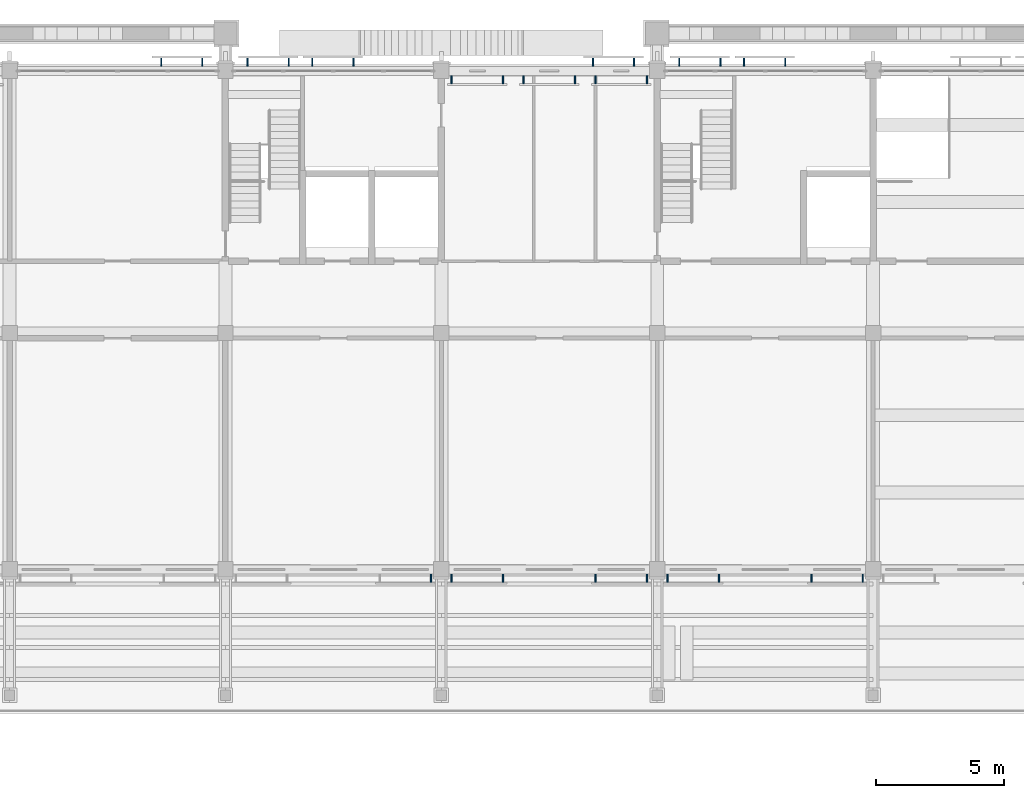
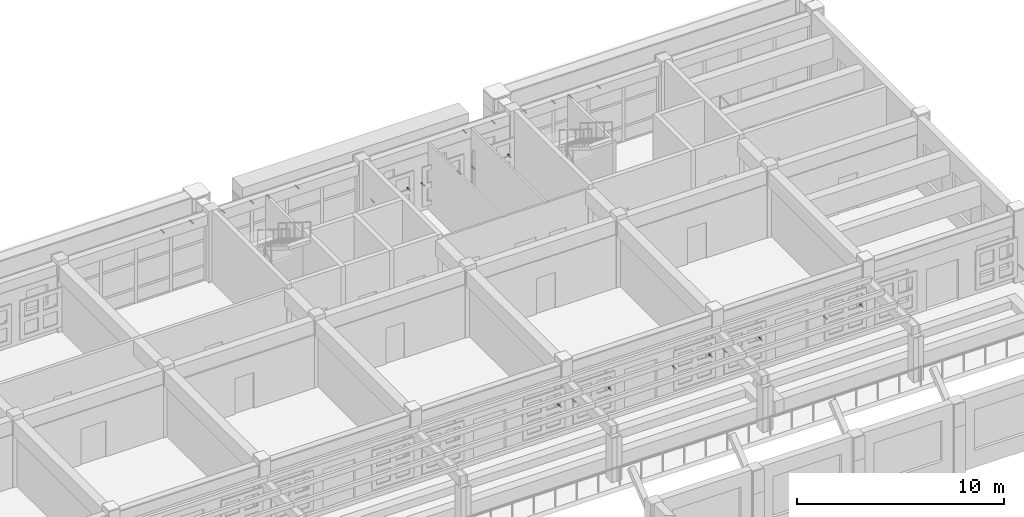
# One storey, part 48 of 68: 27 discrete accessories.
"""IFC4 building model written with IfcOpenShell, lengths in metres."""

from ifc_helpers import new_model, si_unit, direction, frame, origin, origin_2d, place, context, subcontext, project, spatial, rectangle, extrude, material, type_object, element, save


model = new_model("IFC4")

# Units and contexts
model_context = context("Model", 3, precision=1e-05, world=origin(), true_north=direction((0.0, 1.0)))
body_context = subcontext(model_context, "Body", "Model", "MODEL_VIEW")
ifc_project = project(units=[si_unit("LENGTHUNIT", "METRE"), si_unit("AREAUNIT", "SQUARE_METRE"), si_unit("VOLUMEUNIT", "CUBIC_METRE"), si_unit("PLANEANGLEUNIT", "RADIAN"), si_unit("MASSUNIT", "GRAM", prefix="KILO")], contexts=[model_context])

# Site, building, storey
site_placement = place(None, origin())
site = spatial("IfcSite", under=ifc_project, at=site_placement, CompositionType="ELEMENT")
building_placement = place(site_placement, origin())
building = spatial("IfcBuilding", under=site, at=building_placement, Name="Wasatch Bagh Community Centre", CompositionType="ELEMENT")
storey_placement = place(building_placement, frame((0.0, 0.0, 8.39990234375)))
storey = spatial("IfcBuildingStorey", under=building, at=storey_placement, Name="L02", CompositionType="ELEMENT", Elevation=8.39990234375)

# Discrete accessories
ifc_material = material(Name="Galvanised steel", Category="steel")
discrete_accessory_type = type_object("IfcDiscreteAccessoryType", Name="LW jali bracket", PredefinedType="BRACKET", material=ifc_material)
for number, where, z_axis, x_axis, name in (
    (1, (114.0, 78.06005859375, 1.63525390625), (0.0, 0.0, 1.0), (1.0, 0.0, 0.0), "Jali bracket"),
    (2, (114.800048828125, 78.06005859375, 1.63525390625), (0.0, 0.0, 1.0), (1.0, 0.0, 0.0), "Jali bracket"),
    (3, (116.800048828125, 78.06005859375, 1.63525390625), (0.0, 0.0, 1.0), (1.0, 0.0, 0.0), "Jali bracket"),
    (4, (120.39990234375, 78.06005859375, 1.63525390625), (0.0, 0.0, 1.0), (1.0, 0.0, 0.0), "Jali bracket"),
    (5, (122.39990234375, 78.06005859375, 1.63525390625), (0.0, 0.0, 1.0), (1.0, 0.0, 0.0), "Jali bracket"),
    (6, (123.199951171875, 78.06005859375, 1.63525390625), (0.0, 0.0, 1.0), (1.0, 0.0, 0.0), "Jali bracket"),
    (7, (125.199951171875, 78.06005859375, 1.63525390625), (0.0, 0.0, 1.0), (1.0, 0.0, 0.0), "Jali bracket"),
    (8, (128.800048828125, 78.06005859375, 1.63525390625), (0.0, 0.0, 1.0), (1.0, 0.0, 0.0), "Jali bracket"),
    (9, (130.800048828125, 78.06005859375, 1.63525390625), (0.0, 0.0, 1.0), (1.0, 0.0, 0.0), "Jali bracket"),
    (10, (114.800048828125, 97.4599609375, 1.63525390625), (0.0, 0.0, 1.0), (1.0, 0.0, 0.0), "Jali bracket"),
    (11, (116.800048828125, 97.4599609375, 1.63525390625), (0.0, 0.0, 1.0), (1.0, 0.0, 0.0), "Jali bracket"),
    (12, (117.60009765625, 97.4599609375, 1.63525390625), (0.0, 0.0, 1.0), (1.0, 0.0, 0.0), "Jali bracket"),
    (13, (119.60009765625, 97.4599609375, 1.63525390625), (0.0, 0.0, 1.0), (1.0, 0.0, 0.0), "Jali bracket"),
    (14, (120.39990234375, 97.4599609375, 1.63525390625), (0.0, 0.0, 1.0), (1.0, 0.0, 0.0), "Jali bracket"),
    (15, (122.39990234375, 97.4599609375, 1.63525390625), (0.0, 0.0, 1.0), (1.0, 0.0, 0.0), "Jali bracket"),
):
    element("IfcDiscreteAccessory", number, at=place(storey_placement, frame(where, z_axis=z_axis, x_axis=x_axis)), inside=storey, type_object=discrete_accessory_type, Name=name, PredefinedType="BRACKET", context=body_context, shape_type="SweptSolid", body=[
        extrude(rectangle(XDim=0.050048828125, YDim=0.320068359375, at=origin_2d()), origin(), (0.0, 0.0, 1.0), 0.050048828125),
    ])
for number, where, z_axis, x_axis, name in (
    (16, (103.5, 98.137451171875, 3.39501953125), (0.0, 0.0, 1.0), (1.0, 0.0, 0.0), "Jali bracket"),
    (17, (105.10009765625, 98.137451171875, 3.39501953125), (0.0, 0.0, 1.0), (1.0, 0.0, 0.0), "Jali bracket"),
    (18, (106.860107421875, 98.137451171875, 3.39501953125), (0.0, 0.0, 1.0), (1.0, 0.0, 0.0), "Jali bracket"),
    (19, (108.4599609375, 98.137451171875, 3.39501953125), (0.0, 0.0, 1.0), (1.0, 0.0, 0.0), "Jali bracket"),
    (20, (109.3798828125, 98.137451171875, 3.39501953125), (0.0, 0.0, 1.0), (1.0, 0.0, 0.0), "Jali bracket"),
    (21, (110.97998046875, 98.137451171875, 3.39501953125), (0.0, 0.0, 1.0), (1.0, 0.0, 0.0), "Jali bracket"),
    (22, (120.300048828125, 98.137451171875, 3.39501953125), (0.0, 0.0, 1.0), (1.0, 0.0, 0.0), "Jali bracket"),
    (23, (121.89990234375, 98.137451171875, 3.39501953125), (0.0, 0.0, 1.0), (1.0, 0.0, 0.0), "Jali bracket"),
    (24, (123.659912109375, 98.137451171875, 3.39501953125), (0.0, 0.0, 1.0), (1.0, 0.0, 0.0), "Jali bracket"),
    (25, (125.260009765625, 98.137451171875, 3.39501953125), (0.0, 0.0, 1.0), (1.0, 0.0, 0.0), "Jali bracket"),
    (26, (126.179931640625, 98.137451171875, 3.39501953125), (0.0, 0.0, 1.0), (1.0, 0.0, 0.0), "Jali bracket"),
    (27, (127.780029296875, 98.137451171875, 3.39501953125), (0.0, 0.0, 1.0), (1.0, 0.0, 0.0), "Jali bracket"),
):
    element("IfcDiscreteAccessory", number, at=place(storey_placement, frame(where, z_axis=z_axis, x_axis=x_axis)), inside=storey, type_object=discrete_accessory_type, Name=name, PredefinedType="BRACKET", context=body_context, shape_type="SweptSolid", body=[
        extrude(rectangle(XDim=0.050048828125, YDim=0.324951171875, at=origin_2d()), origin(), (0.0, 0.0, 1.0), 0.050048828125),
    ])

save(model, "model.ifc")
